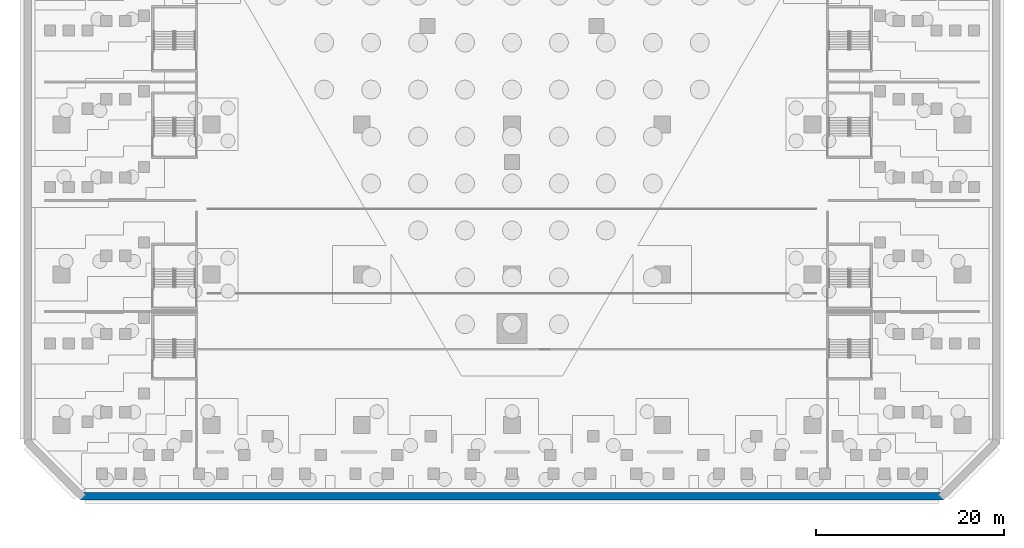
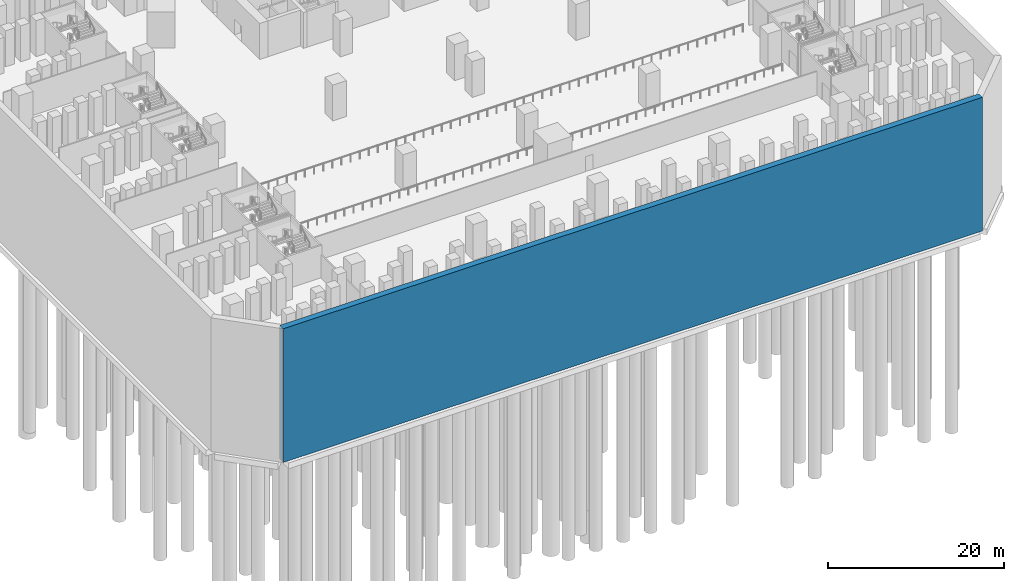
# One storey, part 6 of 27: 1 wall.
"""IFC4 building model written with IfcOpenShell, lengths in metres."""

from ifc_helpers import new_model, si_unit, direction, frame, frame_2d, origin, place, context, subcontext, project, spatial, rectangle, extrude, material, layer, layer_set, type_object, element, save


model = new_model("IFC4")

# Units and contexts
model_context = context("Model", 3, precision=1e-05, world=origin(), true_north=direction((0.0, 1.0)))
body_context = subcontext(model_context, "Body", "Model", "MODEL_VIEW")
ifc_project = project(units=[si_unit("LENGTHUNIT", "METRE"), si_unit("AREAUNIT", "SQUARE_METRE"), si_unit("VOLUMEUNIT", "CUBIC_METRE"), si_unit("PLANEANGLEUNIT", "RADIAN"), si_unit("MASSUNIT", "GRAM", prefix="KILO")], contexts=[model_context])

# Site, building, storey
site_placement = place(None, origin())
site = spatial("IfcSite", under=ifc_project, at=site_placement, CompositionType="ELEMENT")
building_placement = place(site_placement, origin())
building = spatial("IfcBuilding", under=site, at=building_placement, Name="Calabash Gate Tower", CompositionType="ELEMENT")
storey_placement = place(building_placement, frame((0.0, 0.0, -10.0)))
storey = spatial("IfcBuildingStorey", under=building, at=storey_placement, Name="B2", CompositionType="ELEMENT", Elevation=-10.0)

# Wall
ifc_material = material(Name="Concrete C60/75", Category="concrete")
ifc_layer = layer(ifc_material, 0.800048828125)
ifc_layer_set = layer_set([ifc_layer], Name="Diaphragm wall 800 Concrete C60/75")
wall_type = type_object("IfcWallType", Name="Diaphragm wall 800 Concrete C60/75", PredefinedType="SHEAR", material=ifc_layer_set)
wall_placement = place(storey_placement, frame((-46.0, -47.60009765625, -13.60009765625), z_axis=(0.0, 0.0, 1.0), x_axis=(1.0, 0.0, 0.0)))
element("IfcWall", 1, at=wall_placement, inside=storey, type_object=wall_type, Name="Diaphragm wall B2", PredefinedType="SHEAR", context=body_context, shape_type="SweptSolid", body=[
    extrude(rectangle(XDim=92.0, YDim=0.800048828125, at=frame_2d((46.0, 0.0))), origin(), (0.0, 0.0, 1.0), 18.60009765625),
])

save(model, "model.ifc")
